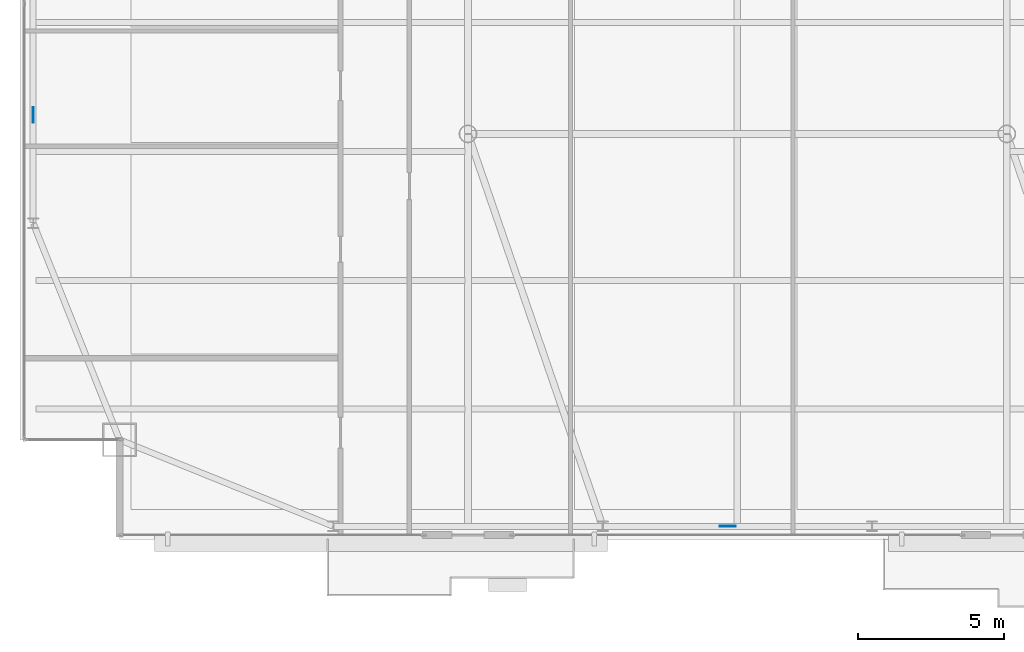
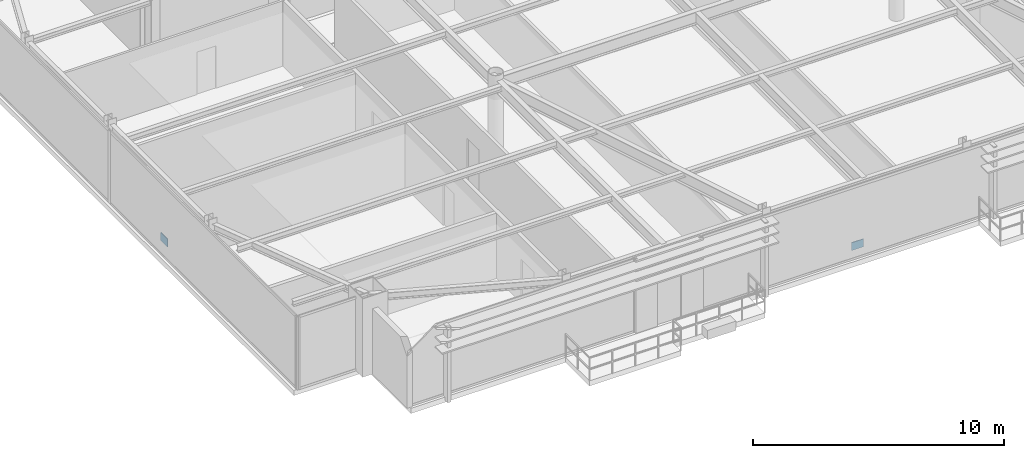
# One storey, part 24 of 30: 2 plates.
"""IFC4 building model written with IfcOpenShell, lengths in metres."""

from ifc_helpers import new_model, si_unit, direction, frame, origin, origin_2d, place, context, subcontext, project, spatial, rectangle, extrude, source, transform, mapped, material, layer, layer_set, type_object, type_shapes, element, save


model = new_model("IFC4")

# Units and contexts
model_context = context("Model", 3, precision=1e-05, world=origin(), true_north=direction((0.0, 1.0)))
body_context = subcontext(model_context, "Body", "Model", "MODEL_VIEW")
ifc_project = project(units=[si_unit("LENGTHUNIT", "METRE"), si_unit("AREAUNIT", "SQUARE_METRE"), si_unit("VOLUMEUNIT", "CUBIC_METRE"), si_unit("PLANEANGLEUNIT", "RADIAN"), si_unit("MASSUNIT", "GRAM", prefix="KILO")], contexts=[model_context])

# Site, building, storey
site_placement = place(None, origin())
site = spatial("IfcSite", under=ifc_project, at=site_placement, CompositionType="ELEMENT")
building_placement = place(site_placement, origin())
building = spatial("IfcBuilding", under=site, at=building_placement, Name="Varnel Quay Broadcast Tower", CompositionType="ELEMENT")
storey_placement = place(building_placement, frame((0.0, 0.0, 207.39990234375)))
storey = spatial("IfcBuildingStorey", under=building, at=storey_placement, Name="L51", CompositionType="ELEMENT", Elevation=207.39990234375)

# Plates
ifc_material = material(Name="Structural Steel CSA G40.21 350WT", Category="steel")
ifc_layer = layer(ifc_material, 0.031982421875, Name="Structural Steel CSA G40.21 350WT")
ifc_layer_set = layer_set([ifc_layer], Name="Structural Steel CSA G40.21 350WT")
plate_type = type_object("IfcPlateType", Name="Plate_EndCap", PredefinedType="USERDEFINED", material=ifc_layer_set)
shared_shape = source(origin(), body_context, "Body", "SweptSolid", [
    extrude(rectangle(XDim=0.5400390625, YDim=0.031982421875, at=origin_2d()), origin(), (0.0, 0.0, 1.0), 0.3798828125),
])
type_shapes(plate_type, [shared_shape])
for number, where, z_axis, x_axis, name in (
    (1, (33.668212890625, 10.64990234375, 0.22314453125), (0.0, 0.0, 1.0), (1.0, 0.0, 0.0), "Zone 4 Mega-Brace S-C1T1 Diag B2 End Connection Plate P0"),
    (2, (9.949951171875, 24.693359375, 0.256591796875), (0.0, 0.0, 1.0), (0.0, 1.0, 0.0), "Zone 4 Mega-Brace W-FT1 Diag B2 End Connection Plate P0"),
):
    element("IfcPlate", number, at=place(storey_placement, frame(where, z_axis=z_axis, x_axis=x_axis)), inside=storey, type_object=plate_type, Name=name, ObjectType="CAP_PLATE", PredefinedType="USERDEFINED", context=body_context, shape_type="MappedRepresentation", body=[
        mapped(shared_shape, transform((0.0, 0.0, 0.0), x_axis=(1.0, 0.0, 0.0), y_axis=(0.0, 1.0, 0.0), z_axis=(0.0, 0.0, 1.0), scale=1.0)),
    ])

save(model, "model.ifc")
